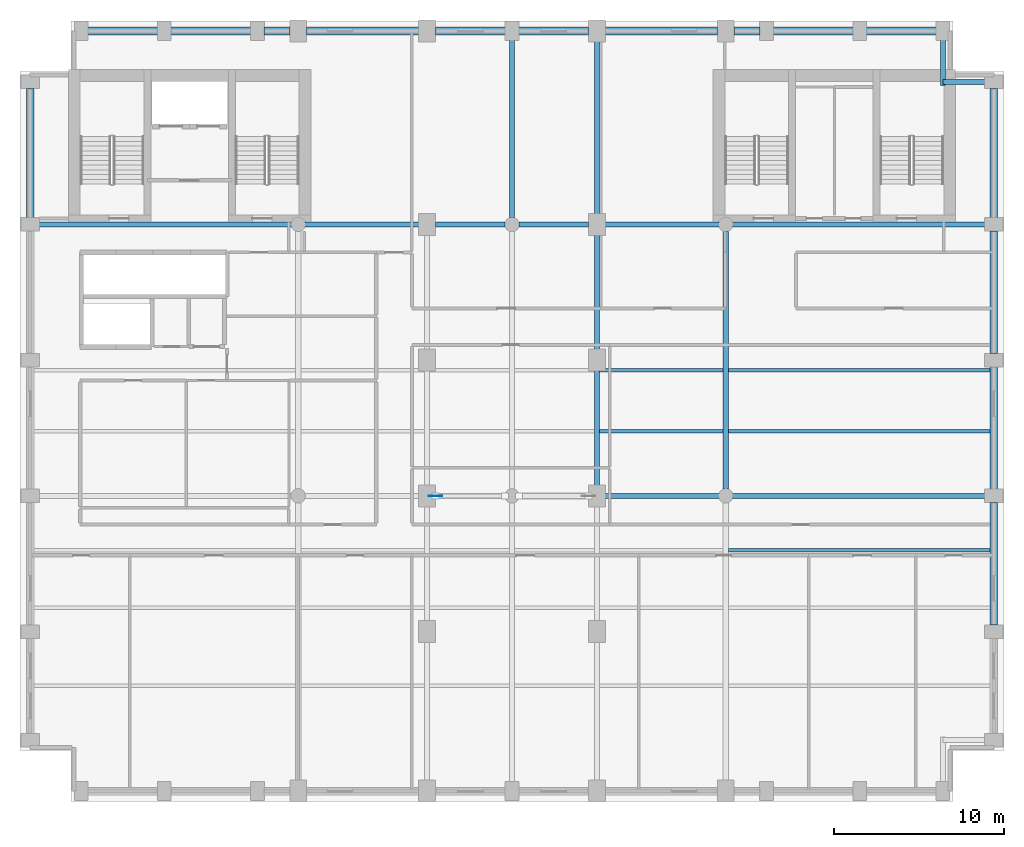
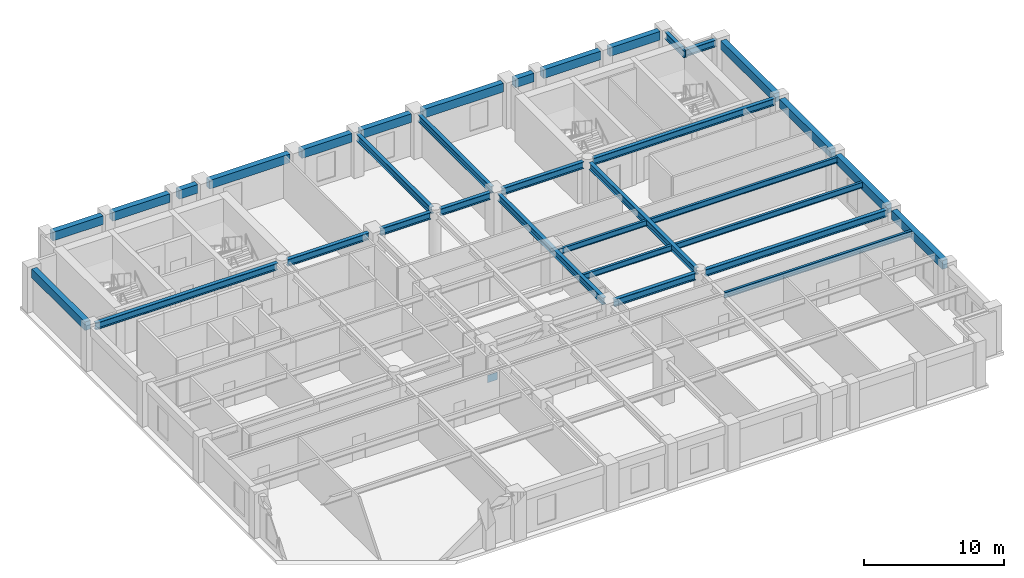
# One storey, part 2 of 10: 34 beams, 1 plate.
"""IFC4 building model written with IfcOpenShell, lengths in metres."""

from ifc_helpers import new_model, si_unit, direction, frame, origin, origin_2d, place, context, subcontext, project, spatial, rectangle, i_section, extrude, material, layer, layer_set, material_profile, profile_set, type_object, element, save


model = new_model("IFC4")

# Units and contexts
model_context = context("Model", 3, precision=1e-05, world=origin(), true_north=direction((0.0, 1.0)))
body_context = subcontext(model_context, "Body", "Model", "MODEL_VIEW")
ifc_project = project(units=[si_unit("LENGTHUNIT", "METRE"), si_unit("AREAUNIT", "SQUARE_METRE"), si_unit("VOLUMEUNIT", "CUBIC_METRE"), si_unit("PLANEANGLEUNIT", "RADIAN"), si_unit("MASSUNIT", "GRAM", prefix="KILO")], contexts=[model_context])

# Site, building, storey
site_placement = place(None, origin())
site = spatial("IfcSite", under=ifc_project, at=site_placement, CompositionType="ELEMENT")
building_placement = place(site_placement, origin())
building = spatial("IfcBuilding", under=site, at=building_placement, Name="Sulina Concourse Tower", CompositionType="ELEMENT")
storey_placement = place(building_placement, frame((0.0, 0.0, 210.60009765625)))
storey = spatial("IfcBuildingStorey", under=building, at=storey_placement, Name="L51", CompositionType="ELEMENT", Elevation=210.60009765625)

# Beams
ifc_material_1 = material(Name="Steel S355", Category="steel")
ifc_material_profile_1 = material_profile(ifc_material_1, i_section(OverallWidth=0.199951171875, OverallDepth=0.5, WebThickness=0.01025390625, FlangeThickness=0.01611328125, at=origin_2d()), Name="IPE 500")
ifc_profile_set_1 = profile_set([ifc_material_profile_1], Name="Steel S355")
beam_type_1 = type_object("IfcBeamType", Name="Composite Floor Joist IPE500", PredefinedType="JOIST", material=ifc_profile_set_1)
beam_1_placement = place(storey_placement, frame((41.75, 14.800048828125, 3.5), z_axis=(1.0, 0.0, 0.0), x_axis=(0.0, 1.0, 0.0)))
element("IfcBeam", 1, at=beam_1_placement, inside=storey, type_object=beam_type_1, Name="FJ-J15-6-L51", PredefinedType="JOIST", context=body_context, shape_type="SweptSolid", body=[
    extrude(i_section(OverallWidth=0.199951171875, OverallDepth=0.5, WebThickness=0.01025390625, FlangeThickness=0.01611328125, at=origin_2d()), origin(), (0.0, 0.0, 1.0), 15.425048828125),
])
beam_2_placement = place(storey_placement, frame((34.14990234375, 21.800048828125, 3.5), z_axis=(1.0, 0.0, 0.0), x_axis=(0.0, 1.0, 0.0)))
element("IfcBeam", 2, at=beam_2_placement, inside=storey, type_object=beam_type_1, Name="FJ-J22-5-L51", PredefinedType="JOIST", context=body_context, shape_type="SweptSolid", body=[
    extrude(i_section(OverallWidth=0.199951171875, OverallDepth=0.5, WebThickness=0.01025390625, FlangeThickness=0.01611328125, at=origin_2d()), origin(), (0.0, 0.0, 1.0), 7.300048828125),
])
beam_3_placement = place(storey_placement, frame((41.75, 21.800048828125, 3.5), z_axis=(1.0, 0.0, 0.0), x_axis=(0.0, 1.0, 0.0)))
element("IfcBeam", 3, at=beam_3_placement, inside=storey, type_object=beam_type_1, Name="FJ-J22-6-L51", PredefinedType="JOIST", context=body_context, shape_type="SweptSolid", body=[
    extrude(i_section(OverallWidth=0.199951171875, OverallDepth=0.5, WebThickness=0.01025390625, FlangeThickness=0.01611328125, at=origin_2d()), origin(), (0.0, 0.0, 1.0), 15.425048828125),
])
beam_4_placement = place(storey_placement, frame((34.14990234375, 25.39990234375, 3.5), z_axis=(1.0, 0.0, 0.0), x_axis=(0.0, 1.0, 0.0)))
element("IfcBeam", 4, at=beam_4_placement, inside=storey, type_object=beam_type_1, Name="FJ-J25-5-L51", PredefinedType="JOIST", context=body_context, shape_type="SweptSolid", body=[
    extrude(i_section(OverallWidth=0.199951171875, OverallDepth=0.5, WebThickness=0.01025390625, FlangeThickness=0.01611328125, at=origin_2d()), origin(), (0.0, 0.0, 1.0), 7.300048828125),
])
beam_5_placement = place(storey_placement, frame((41.75, 25.39990234375, 3.5), z_axis=(1.0, 0.0, 0.0), x_axis=(0.0, 1.0, 0.0)))
element("IfcBeam", 5, at=beam_5_placement, inside=storey, type_object=beam_type_1, Name="FJ-J25-6-L51", PredefinedType="JOIST", context=body_context, shape_type="SweptSolid", body=[
    extrude(i_section(OverallWidth=0.199951171875, OverallDepth=0.5, WebThickness=0.01025390625, FlangeThickness=0.01611328125, at=origin_2d()), origin(), (0.0, 0.0, 1.0), 15.425048828125),
])
ifc_material_2 = material(Name="Steel S355", Category="steel")
ifc_material_profile_2 = material_profile(ifc_material_2, i_section(OverallWidth=0.300048828125, OverallDepth=0.60009765625, WebThickness=0.015380859375, FlangeThickness=0.030029296875, at=origin_2d()), Name="HE 600 B")
ifc_profile_set_2 = profile_set([ifc_material_profile_2], Name="Steel S355")
beam_type_2 = type_object("IfcBeamType", Name="Floor Primary Girder Zone 3 HE600B", PredefinedType="BEAM", material=ifc_profile_set_2)
beam_6_placement = place(storey_placement, frame((54.39990234375, 42.39990234375, 3.449951171875), z_axis=(1.0, 0.0, 0.0), x_axis=(0.0, 1.0, 0.0)))
element("IfcBeam", 6, at=beam_6_placement, inside=storey, type_object=beam_type_2, Name="TIE-NE-L51", PredefinedType="BEAM", context=body_context, shape_type="SweptSolid", body=[
    extrude(i_section(OverallWidth=0.300048828125, OverallDepth=0.60009765625, WebThickness=0.015380859375, FlangeThickness=0.030029296875, at=origin_2d()), origin(), (0.0, 0.0, 1.0), 2.6201171875),
])
beam_7_placement = place(storey_placement, frame((54.39990234375, 42.199951171875, 3.449951171875), z_axis=(0.0, 1.0, 0.0), x_axis=(-1.0, 0.0, 0.0)))
element("IfcBeam", 7, at=beam_7_placement, inside=storey, type_object=beam_type_2, Name="TIE-NEN-L51", PredefinedType="BEAM", context=body_context, shape_type="SweptSolid", body=[
    extrude(i_section(OverallWidth=0.300048828125, OverallDepth=0.60009765625, WebThickness=0.015380859375, FlangeThickness=0.030029296875, at=origin_2d()), origin(), (0.0, 0.0, 1.0), 2.820068359375),
])
beam_8_placement = place(storey_placement, frame((34.47998046875, 18.0, 3.449951171875), z_axis=(1.0, 0.0, 0.0), x_axis=(0.0, 1.0, 0.0)))
element("IfcBeam", 8, at=beam_8_placement, inside=storey, type_object=beam_type_2, Name="FG-EW5-L51", PredefinedType="BEAM", context=body_context, shape_type="SweptSolid", body=[
    extrude(i_section(OverallWidth=0.300048828125, OverallDepth=0.60009765625, WebThickness=0.015380859375, FlangeThickness=0.030029296875, at=origin_2d()), origin(), (0.0, 0.0, 1.0), 6.715087890625),
])
for number, where, z_axis, x_axis, name in (
    (9, (42.0048828125, 18.0, 3.449951171875), (1.0, 0.0, 0.0), (0.0, 1.0, 0.0), "FG-EW6-L51"),
    (10, (0.97998046875, 34.0, 3.449951171875), (1.0, 0.0, 0.0), (0.0, 1.0, 0.0), "FG-EWN1-L51"),
):
    element("IfcBeam", number, at=place(storey_placement, frame(where, z_axis=z_axis, x_axis=x_axis)), inside=storey, type_object=beam_type_2, Name=name, PredefinedType="BEAM", context=body_context, shape_type="SweptSolid", body=[
        extrude(i_section(OverallWidth=0.300048828125, OverallDepth=0.60009765625, WebThickness=0.015380859375, FlangeThickness=0.030029296875, at=origin_2d()), origin(), (0.0, 0.0, 1.0), 15.01513671875),
    ])
beam_9_placement = place(storey_placement, frame((16.804931640625, 34.0, 3.449951171875), z_axis=(1.0, 0.0, 0.0), x_axis=(0.0, 1.0, 0.0)))
element("IfcBeam", 11, at=beam_9_placement, inside=storey, type_object=beam_type_2, Name="FG-EWN2-L51", PredefinedType="BEAM", context=body_context, shape_type="SweptSolid", body=[
    extrude(i_section(OverallWidth=0.300048828125, OverallDepth=0.60009765625, WebThickness=0.015380859375, FlangeThickness=0.030029296875, at=origin_2d()), origin(), (0.0, 0.0, 1.0), 6.715087890625),
])
for number, where, z_axis, x_axis, name in (
    (12, (24.47998046875, 34.0, 3.449951171875), (1.0, 0.0, 0.0), (0.0, 1.0, 0.0), "FG-EWN3-L51"),
    (13, (29.405029296875, 34.0, 3.449951171875), (1.0, 0.0, 0.0), (0.0, 1.0, 0.0), "FG-EWN4-L51"),
):
    element("IfcBeam", number, at=place(storey_placement, frame(where, z_axis=z_axis, x_axis=x_axis)), inside=storey, type_object=beam_type_2, Name=name, PredefinedType="BEAM", context=body_context, shape_type="SweptSolid", body=[
        extrude(i_section(OverallWidth=0.300048828125, OverallDepth=0.60009765625, WebThickness=0.015380859375, FlangeThickness=0.030029296875, at=origin_2d()), origin(), (0.0, 0.0, 1.0), 4.114990234375),
    ])
beam_10_placement = place(storey_placement, frame((34.47998046875, 34.0, 3.449951171875), z_axis=(1.0, 0.0, 0.0), x_axis=(0.0, 1.0, 0.0)))
element("IfcBeam", 14, at=beam_10_placement, inside=storey, type_object=beam_type_2, Name="FG-EWN5-L51", PredefinedType="BEAM", context=body_context, shape_type="SweptSolid", body=[
    extrude(i_section(OverallWidth=0.300048828125, OverallDepth=0.60009765625, WebThickness=0.015380859375, FlangeThickness=0.030029296875, at=origin_2d()), origin(), (0.0, 0.0, 1.0), 6.715087890625),
])
beam_11_placement = place(storey_placement, frame((42.0048828125, 34.0, 3.449951171875), z_axis=(1.0, 0.0, 0.0), x_axis=(0.0, 1.0, 0.0)))
element("IfcBeam", 15, at=beam_11_placement, inside=storey, type_object=beam_type_2, Name="FG-EWN6-L51", PredefinedType="BEAM", context=body_context, shape_type="SweptSolid", body=[
    extrude(i_section(OverallWidth=0.300048828125, OverallDepth=0.60009765625, WebThickness=0.015380859375, FlangeThickness=0.030029296875, at=origin_2d()), origin(), (0.0, 0.0, 1.0), 15.01513671875),
])
beam_12_placement = place(storey_placement, frame((29.0, 34.405029296875, 3.449951171875), z_axis=(0.0, 1.0, 0.0), x_axis=(-1.0, 0.0, 0.0)))
element("IfcBeam", 16, at=beam_12_placement, inside=storey, type_object=beam_type_2, Name="FG-NSC-29-L51", PredefinedType="BEAM", context=body_context, shape_type="SweptSolid", body=[
    extrude(i_section(OverallWidth=0.300048828125, OverallDepth=0.60009765625, WebThickness=0.015380859375, FlangeThickness=0.030029296875, at=origin_2d()), origin(), (0.0, 0.0, 1.0), 10.614990234375),
])
beam_13_placement = place(storey_placement, frame((34.0, 18.47998046875, 3.449951171875), z_axis=(0.0, 1.0, 0.0), x_axis=(-1.0, 0.0, 0.0)))
element("IfcBeam", 17, at=beam_13_placement, inside=storey, type_object=beam_type_2, Name="FG-NSB-34-L51", PredefinedType="BEAM", context=body_context, shape_type="SweptSolid", body=[
    extrude(i_section(OverallWidth=0.300048828125, OverallDepth=0.60009765625, WebThickness=0.015380859375, FlangeThickness=0.030029296875, at=origin_2d()), origin(), (0.0, 0.0, 1.0), 15.0400390625),
])
beam_14_placement = place(storey_placement, frame((34.0, 34.47998046875, 3.449951171875), z_axis=(0.0, 1.0, 0.0), x_axis=(-1.0, 0.0, 0.0)))
element("IfcBeam", 18, at=beam_14_placement, inside=storey, type_object=beam_type_2, Name="FG-NSC-34-L51", PredefinedType="BEAM", context=body_context, shape_type="SweptSolid", body=[
    extrude(i_section(OverallWidth=0.300048828125, OverallDepth=0.60009765625, WebThickness=0.015380859375, FlangeThickness=0.030029296875, at=origin_2d()), origin(), (0.0, 0.0, 1.0), 10.43994140625),
])
beam_15_placement = place(storey_placement, frame((41.60009765625, 18.405029296875, 3.449951171875), z_axis=(0.0, 1.0, 0.0), x_axis=(-1.0, 0.0, 0.0)))
element("IfcBeam", 19, at=beam_15_placement, inside=storey, type_object=beam_type_2, Name="FG-NSB-41-L51", PredefinedType="BEAM", context=body_context, shape_type="SweptSolid", body=[
    extrude(i_section(OverallWidth=0.300048828125, OverallDepth=0.60009765625, WebThickness=0.015380859375, FlangeThickness=0.030029296875, at=origin_2d()), origin(), (0.0, 0.0, 1.0), 15.18994140625),
])
ifc_material_3 = material(Name="Precast concrete C50/60", Category="concrete")
ifc_material_profile_3 = material_profile(ifc_material_3, rectangle(XDim=0.449951171875, YDim=0.75, at=origin_2d()), Name="RC 450x750")
ifc_profile_set_3 = profile_set([ifc_material_profile_3], Name="Precast concrete C50/60")
beam_type_3 = type_object("IfcBeamType", Name="Upper Precast Spandrel Edge Beam 450x750", PredefinedType="BEAM", material=ifc_profile_set_3)
beam_16_placement = place(storey_placement, frame((3.97998046875, 45.39990234375, 3.375), z_axis=(1.0, 0.0, 0.0), x_axis=(0.0, 1.0, 0.0)))
element("IfcBeam", 20, at=beam_16_placement, inside=storey, type_object=beam_type_3, Name="SP-N1-L51", PredefinedType="BEAM", context=body_context, shape_type="SweptSolid", body=[
    extrude(rectangle(XDim=0.449951171875, YDim=0.75, at=origin_2d()), origin(), (0.0, 0.0, 1.0), 4.14013671875),
])
beam_17_placement = place(storey_placement, frame((8.8798828125, 45.39990234375, 3.375), z_axis=(1.0, 0.0, 0.0), x_axis=(0.0, 1.0, 0.0)))
element("IfcBeam", 21, at=beam_17_placement, inside=storey, type_object=beam_type_3, Name="SP-N2-L51", PredefinedType="BEAM", context=body_context, shape_type="SweptSolid", body=[
    extrude(rectangle(XDim=0.449951171875, YDim=0.75, at=origin_2d()), origin(), (0.0, 0.0, 1.0), 4.740234375),
])
beam_18_placement = place(storey_placement, frame((14.3798828125, 45.39990234375, 3.375), z_axis=(1.0, 0.0, 0.0), x_axis=(0.0, 1.0, 0.0)))
element("IfcBeam", 22, at=beam_18_placement, inside=storey, type_object=beam_type_3, Name="SP-N3-L51", PredefinedType="BEAM", context=body_context, shape_type="SweptSolid", body=[
    extrude(rectangle(XDim=0.449951171875, YDim=0.75, at=origin_2d()), origin(), (0.0, 0.0, 1.0), 1.5400390625),
])
beam_19_placement = place(storey_placement, frame((16.8798828125, 45.39990234375, 3.375), z_axis=(1.0, 0.0, 0.0), x_axis=(0.0, 1.0, 0.0)))
element("IfcBeam", 23, at=beam_19_placement, inside=storey, type_object=beam_type_3, Name="SP-N4-L51", PredefinedType="BEAM", context=body_context, shape_type="SweptSolid", body=[
    extrude(rectangle(XDim=0.449951171875, YDim=0.75, at=origin_2d()), origin(), (0.0, 0.0, 1.0), 6.64013671875),
])
for number, where, z_axis, x_axis, name in (
    (24, (24.47998046875, 45.39990234375, 3.375), (1.0, 0.0, 0.0), (0.0, 1.0, 0.0), "SP-N5-L51"),
    (25, (29.3798828125, 45.39990234375, 3.375), (1.0, 0.0, 0.0), (0.0, 1.0, 0.0), "SP-N6-L51"),
):
    element("IfcBeam", number, at=place(storey_placement, frame(where, z_axis=z_axis, x_axis=x_axis)), inside=storey, type_object=beam_type_3, Name=name, PredefinedType="BEAM", context=body_context, shape_type="SweptSolid", body=[
        extrude(rectangle(XDim=0.449951171875, YDim=0.75, at=origin_2d()), origin(), (0.0, 0.0, 1.0), 4.14013671875),
    ])
beam_20_placement = place(storey_placement, frame((34.47998046875, 45.39990234375, 3.375), z_axis=(1.0, 0.0, 0.0), x_axis=(0.0, 1.0, 0.0)))
element("IfcBeam", 26, at=beam_20_placement, inside=storey, type_object=beam_type_3, Name="SP-N7-L51", PredefinedType="BEAM", context=body_context, shape_type="SweptSolid", body=[
    extrude(rectangle(XDim=0.449951171875, YDim=0.75, at=origin_2d()), origin(), (0.0, 0.0, 1.0), 6.64013671875),
])
beam_21_placement = place(storey_placement, frame((42.080078125, 45.39990234375, 3.375), z_axis=(1.0, 0.0, 0.0), x_axis=(0.0, 1.0, 0.0)))
element("IfcBeam", 27, at=beam_21_placement, inside=storey, type_object=beam_type_3, Name="SP-N8-L51", PredefinedType="BEAM", context=body_context, shape_type="SweptSolid", body=[
    extrude(rectangle(XDim=0.449951171875, YDim=0.75, at=origin_2d()), origin(), (0.0, 0.0, 1.0), 1.5400390625),
])
beam_22_placement = place(storey_placement, frame((44.3798828125, 45.39990234375, 3.375), z_axis=(1.0, 0.0, 0.0), x_axis=(0.0, 1.0, 0.0)))
element("IfcBeam", 28, at=beam_22_placement, inside=storey, type_object=beam_type_3, Name="SP-N9-L51", PredefinedType="BEAM", context=body_context, shape_type="SweptSolid", body=[
    extrude(rectangle(XDim=0.449951171875, YDim=0.75, at=origin_2d()), origin(), (0.0, 0.0, 1.0), 4.740234375),
])
beam_23_placement = place(storey_placement, frame((49.8798828125, 45.39990234375, 3.375), z_axis=(1.0, 0.0, 0.0), x_axis=(0.0, 1.0, 0.0)))
element("IfcBeam", 29, at=beam_23_placement, inside=storey, type_object=beam_type_3, Name="SP-N10-L51", PredefinedType="BEAM", context=body_context, shape_type="SweptSolid", body=[
    extrude(rectangle(XDim=0.449951171875, YDim=0.75, at=origin_2d()), origin(), (0.0, 0.0, 1.0), 4.14013671875),
])
beam_24_placement = place(storey_placement, frame((0.60009765625, 34.3798828125, 3.375), z_axis=(0.0, 1.0, 0.0), x_axis=(-1.0, 0.0, 0.0)))
element("IfcBeam", 30, at=beam_24_placement, inside=storey, type_object=beam_type_3, Name="SP-W5-L51", PredefinedType="BEAM", context=body_context, shape_type="SweptSolid", body=[
    extrude(rectangle(XDim=0.449951171875, YDim=0.75, at=origin_2d()), origin(), (0.0, 0.0, 1.0), 7.64013671875),
])
for number, where, z_axis, x_axis, name in (
    (31, (57.39990234375, 10.3798828125, 3.375), (0.0, 1.0, 0.0), (-1.0, 0.0, 0.0), "SP-E2-L51"),
    (32, (57.39990234375, 18.3798828125, 3.375), (0.0, 1.0, 0.0), (-1.0, 0.0, 0.0), "SP-E3-L51"),
    (33, (57.39990234375, 26.3798828125, 3.375), (0.0, 1.0, 0.0), (-1.0, 0.0, 0.0), "SP-E4-L51"),
):
    element("IfcBeam", number, at=place(storey_placement, frame(where, z_axis=z_axis, x_axis=x_axis)), inside=storey, type_object=beam_type_3, Name=name, PredefinedType="BEAM", context=body_context, shape_type="SweptSolid", body=[
        extrude(rectangle(XDim=0.449951171875, YDim=0.75, at=origin_2d()), origin(), (0.0, 0.0, 1.0), 7.240234375),
    ])
beam_25_placement = place(storey_placement, frame((57.39990234375, 34.3798828125, 3.375), z_axis=(0.0, 1.0, 0.0), x_axis=(-1.0, 0.0, 0.0)))
element("IfcBeam", 34, at=beam_25_placement, inside=storey, type_object=beam_type_3, Name="SP-E5-L51", PredefinedType="BEAM", context=body_context, shape_type="SweptSolid", body=[
    extrude(rectangle(XDim=0.449951171875, YDim=0.75, at=origin_2d()), origin(), (0.0, 0.0, 1.0), 7.64013671875),
])

# Plate
ifc_material_4 = material(Name="Steel S355", Category="steel")
ifc_layer = layer(ifc_material_4, 0.0400390625)
ifc_layer_set = layer_set([ifc_layer], Name="Steel S355")
plate_type = type_object("IfcPlateType", Name="Upper Bridge Node Gusset Plate 40mm", PredefinedType="USERDEFINED", material=ifc_layer_set)
plate_placement = place(storey_placement, frame((24.489990234375, 18.0, 0.094970703125), z_axis=(0.0, 0.0, 1.0), x_axis=(1.0, 0.0, 0.0)))
element("IfcPlate", 35, at=plate_placement, inside=storey, type_object=plate_type, Name="UBT-DG-1-L51 node gusset plate", ObjectType="GUSSET_PLATE", PredefinedType="USERDEFINED", context=body_context, shape_type="SweptSolid", body=[
    extrude(rectangle(XDim=0.800048828125, YDim=0.0400390625, at=origin_2d()), origin(), (0.0, 0.0, 1.0), 0.64990234375),
])

save(model, "model.ifc")
